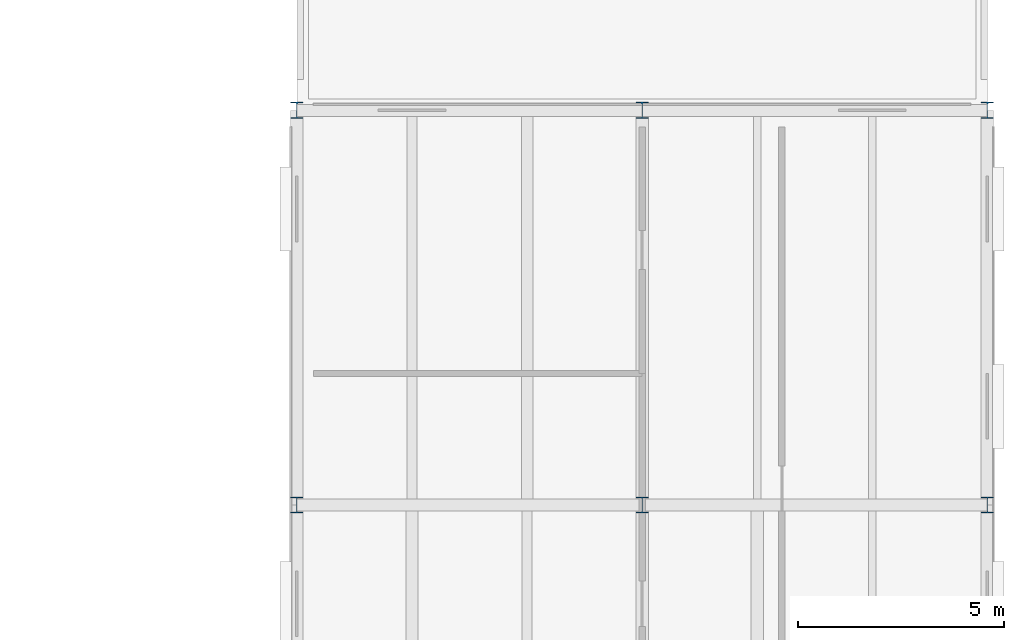
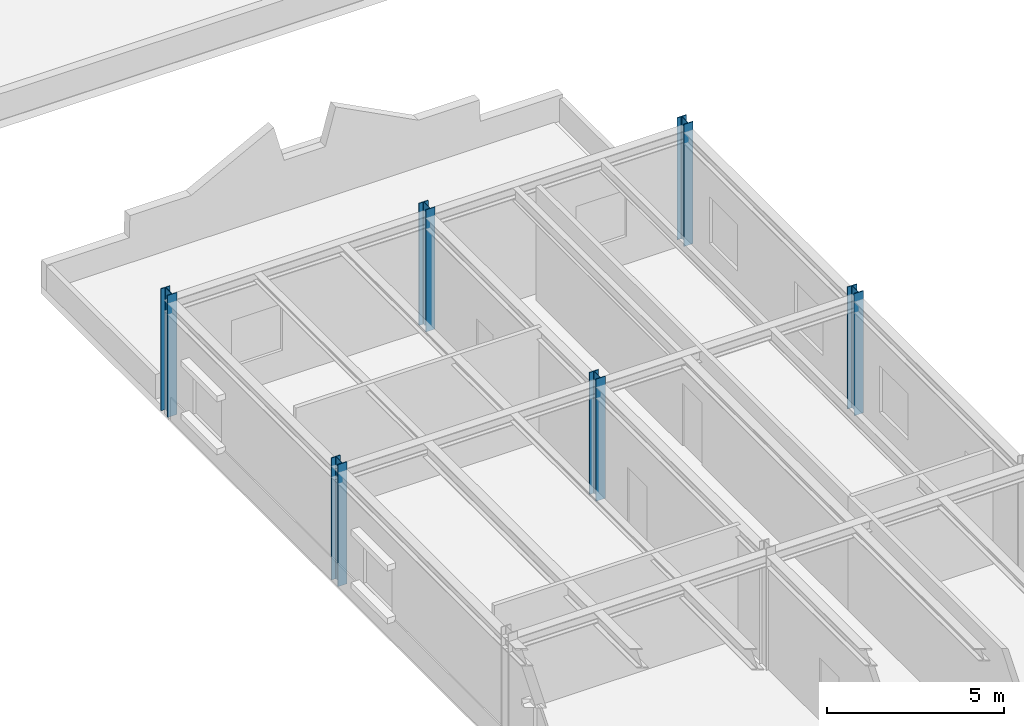
# One storey, part 8 of 69: 6 columns.
"""IFC4 building model written with IfcOpenShell, lengths in metres."""

from ifc_helpers import new_model, si_unit, direction, frame, origin, origin_2d, place, context, subcontext, project, spatial, i_section, extrude, material, material_profile, profile_set, type_object, element, save


model = new_model("IFC4")

# Units and contexts
model_context = context("Model", 3, precision=1e-05, world=origin(), true_north=direction((0.0, 1.0)))
body_context = subcontext(model_context, "Body", "Model", "MODEL_VIEW")
ifc_project = project(units=[si_unit("LENGTHUNIT", "METRE"), si_unit("AREAUNIT", "SQUARE_METRE"), si_unit("VOLUMEUNIT", "CUBIC_METRE"), si_unit("PLANEANGLEUNIT", "RADIAN"), si_unit("MASSUNIT", "GRAM", prefix="KILO")], contexts=[model_context])

# Site, building, storey
site_placement = place(None, origin())
site = spatial("IfcSite", under=ifc_project, at=site_placement, CompositionType="ELEMENT")
building_placement = place(site_placement, origin())
building = spatial("IfcBuilding", under=site, at=building_placement, Name="Montealbar Specialist Clinic", CompositionType="ELEMENT")
storey_placement = place(building_placement, frame((0.0, 0.0, 9.60009765625)))
storey = spatial("IfcBuildingStorey", under=building, at=storey_placement, Name="L02", CompositionType="ELEMENT", Elevation=9.60009765625)

# Columns
ifc_material = material(Name="Steel S355", Category="steel")
ifc_material_profile_1 = material_profile(ifc_material, i_section(OverallWidth=0.300048828125, OverallDepth=0.39990234375, WebThickness=0.013427734375, FlangeThickness=0.02392578125, FilletRadius=0.027099609375, at=origin_2d()), Name="HEB 400", Category="steel")
ifc_profile_set_1 = profile_set([ifc_material_profile_1], Name="Steel S355")
column_type_1 = type_object("IfcColumnType", Name="COL-S-L02-STD", PredefinedType="COLUMN", material=ifc_profile_set_1)
column_placement = place(storey_placement, frame((153.60009765625, 71.39990234375, 0.0), z_axis=(0.0, 0.0, 1.0), x_axis=(1.0, 0.0, 0.0)))
element("IfcColumn", 1, at=column_placement, inside=storey, type_object=column_type_1, Name="Column 20/J L02", PredefinedType="COLUMN", context=body_context, shape_type="SweptSolid", body=[
    extrude(i_section(OverallWidth=0.300048828125, OverallDepth=0.39990234375, WebThickness=0.013427734375, FlangeThickness=0.02392578125, FilletRadius=0.027099609375, at=origin_2d()), origin(), (0.0, 0.0, 1.0), 4.199951171875),
])
ifc_material_profile_2 = material_profile(ifc_material, i_section(OverallWidth=0.300048828125, OverallDepth=0.39990234375, WebThickness=0.013427734375, FlangeThickness=0.02392578125, FilletRadius=0.027099609375, at=origin_2d()), Name="HEB 400", Category="steel")
ifc_profile_set_2 = profile_set([ifc_material_profile_2], Name="Steel S355")
column_type_2 = type_object("IfcColumnType", Name="COL-S-L02-STD-EXT", PredefinedType="COLUMN", material=ifc_profile_set_2)
for number, where, z_axis, x_axis, name in (
    (2, (145.199951171875, 71.39990234375, 0.0), (0.0, 0.0, 1.0), (1.0, 0.0, 0.0), "Column 19/J L02"),
    (3, (145.199951171875, 81.0, 0.0), (0.0, 0.0, 1.0), (1.0, 0.0, 0.0), "Column 19/K L02"),
    (4, (153.60009765625, 81.0, 0.0), (0.0, 0.0, 1.0), (1.0, 0.0, 0.0), "Column 20/K L02"),
    (5, (162.0, 71.39990234375, 0.0), (0.0, 0.0, 1.0), (1.0, 0.0, 0.0), "Column 21/J L02"),
    (6, (162.0, 81.0, 0.0), (0.0, 0.0, 1.0), (1.0, 0.0, 0.0), "Column 21/K L02"),
):
    element("IfcColumn", number, at=place(storey_placement, frame(where, z_axis=z_axis, x_axis=x_axis)), inside=storey, type_object=column_type_2, Name=name, PredefinedType="COLUMN", context=body_context, shape_type="SweptSolid", body=[
        extrude(i_section(OverallWidth=0.300048828125, OverallDepth=0.39990234375, WebThickness=0.013427734375, FlangeThickness=0.02392578125, FilletRadius=0.027099609375, at=origin_2d()), origin(), (0.0, 0.0, 1.0), 4.199951171875),
    ])

save(model, "model.ifc")
